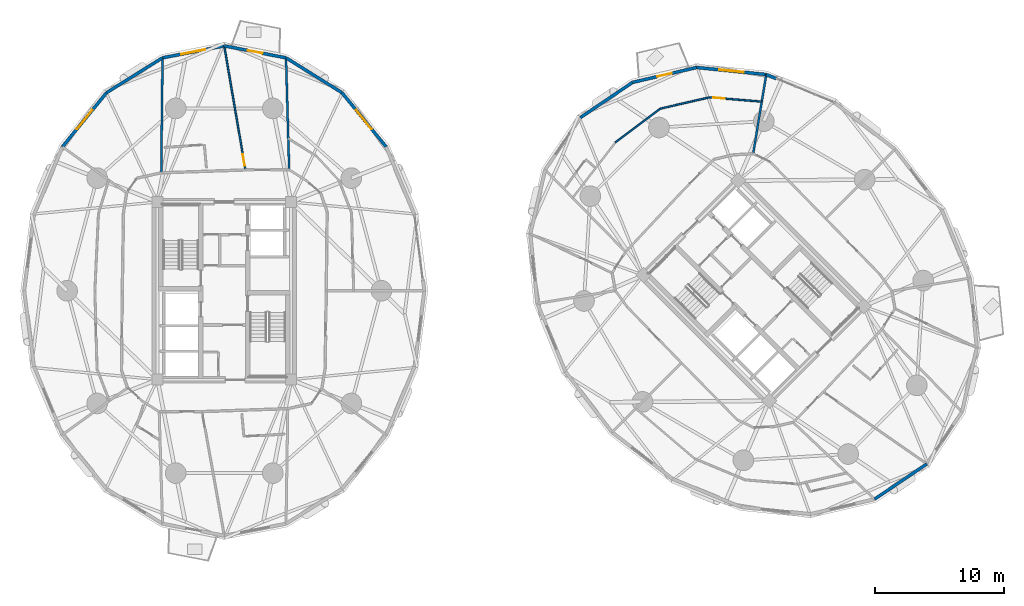
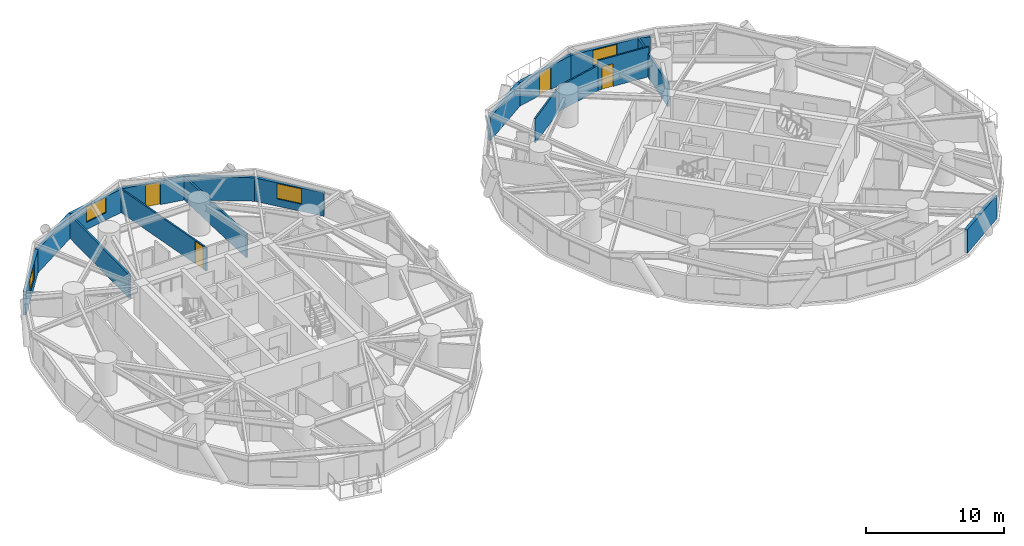
# One storey, part 14 of 19: 18 walls, 4 doors, 4 windows, 8 openings.
"""IFC4 building model written with IfcOpenShell, lengths in metres."""

from ifc_helpers import new_model, si_unit, direction, frame, frame_2d, origin, place, context, subcontext, project, spatial, rectangle, extrude, source, transform, mapped, material, layer, layer_set, type_object, element, fill, save


model = new_model("IFC4")

# Units and contexts
model_context = context("Model", 3, precision=1e-05, world=origin(), true_north=direction((0.0, 1.0)))
body_context = subcontext(model_context, "Body", "Model", "MODEL_VIEW")
ifc_project = project(units=[si_unit("LENGTHUNIT", "METRE"), si_unit("AREAUNIT", "SQUARE_METRE"), si_unit("VOLUMEUNIT", "CUBIC_METRE"), si_unit("PLANEANGLEUNIT", "RADIAN"), si_unit("MASSUNIT", "GRAM", prefix="KILO")], contexts=[model_context])

# Site, building, storey
site_placement = place(None, origin())
site = spatial("IfcSite", under=ifc_project, at=site_placement, CompositionType="ELEMENT")
building_placement = place(site_placement, origin())
building = spatial("IfcBuilding", under=site, at=building_placement, Name="Cununo Teusaquillo Station Towers", CompositionType="ELEMENT")
storey_placement = place(building_placement, frame((0.0, 0.0, 42.3701171875)))
storey = spatial("IfcBuildingStorey", under=building, at=storey_placement, Name="L12", CompositionType="ELEMENT", Elevation=42.3701171875)

# Wall, opening, window
ifc_material_1 = material(Name="Precast concrete C40/50", Category="concrete")
ifc_layer_1 = layer(ifc_material_1, 0.239990234375)
ifc_layer_set_1 = layer_set([ifc_layer_1], Name="Precast concrete C40/50")
wall_type_1 = type_object("IfcWallType", Name="WL-EXT-240", PredefinedType="SOLIDWALL", material=ifc_layer_set_1)
wall_1_placement = place(storey_placement, frame((25.610107421875, 39.84716796875, 0.0), z_axis=(0.0, 0.0, 1.0), x_axis=(0.632710215588, -0.774388651189, 0.0)))
wall_1 = element("IfcWall", 1, at=wall_1_placement, inside=storey, type_object=wall_type_1, Name="L12 Tower A Exterior Facade Wall C02", PredefinedType="SOLIDWALL", context=body_context, shape_type="SweptSolid", body=[
    extrude(rectangle(XDim=5.41943359375, YDim=0.239990234375, at=frame_2d((2.709716796875, 0.0))), origin(), (0.0, 0.0, 1.0), 2.072998046875),
])
shared_shape_1 = source(origin(), body_context, "Body", "SweptSolid", [
    extrude(rectangle(XDim=1.89990234375, YDim=1.35009765625, at=frame_2d((0.949951171875, 0.675048828125))), frame((0.0, 0.1298828125, 0.0), z_axis=(0.0, -1.0, 0.0), x_axis=(1.0, 0.0, 0.0)), (0.0, 0.0, 1.0), 0.260009765625),
])
opening_1_placement = place(wall_1_placement, frame((1.760009765625, 0.0, 0.64990234375)))
opening_1 = element("IfcOpeningElement", 2, at=opening_1_placement, cuts=wall_1, Name="Opening WN-02", PredefinedType="OPENING", context=body_context, shape_type="MappedRepresentation", body=[
    mapped(shared_shape_1, transform((0.0, 0.0, 0.0), x_axis=(1.0, 0.0, 0.0), y_axis=(0.0, 1.0, 0.0), z_axis=(0.0, 0.0, 1.0), scale=1.0)),
])
ifc_material_2 = material(Name="Operable acoustic tinted low-E double glazing", Category="glass")
window_type = type_object("IfcWindowType", Name="WIN-OPER-1900", PartitioningType="DOUBLE_PANEL_VERTICAL", PredefinedType="WINDOW", material=ifc_material_2)
shared_shape_2 = source(origin(), body_context, "Body", "SweptSolid", [
    extrude(rectangle(XDim=1.89990234375, YDim=1.35009765625, at=frame_2d((0.949951171875, 0.675048828125))), frame((0.0, 0.030029296875, 0.0), z_axis=(0.0, -1.0, 0.0), x_axis=(1.0, 0.0, 0.0)), (0.0, 0.0, 1.0), 0.06005859375),
])
window_1_placement = place(opening_1_placement, origin())
window_1 = element("IfcWindow", 3, at=window_1_placement, inside=storey, type_object=window_type, Name="L12 Tower A Facade Window C02", OverallHeight=1.35009765625, OverallWidth=1.89990234375, PartitioningType="DOUBLE_PANEL_VERTICAL", PredefinedType="WINDOW", context=body_context, shape_type="MappedRepresentation", body=[
    mapped(shared_shape_2, transform((0.0, 0.0, 0.0), x_axis=(1.0, 0.0, 0.0), y_axis=(0.0, 1.0, 0.0), z_axis=(0.0, 0.0, 1.0), scale=1.0)),
])
fill(opening_1, window_1)

# Wall
wall_2_placement = place(storey_placement, frame((21.28955078125, 42.54150390625, 0.0), z_axis=(0.0, 0.0, 1.0), x_axis=(0.848528534887, -0.529149624853, 0.0)))
element("IfcWall", 4, at=wall_2_placement, inside=storey, type_object=wall_type_1, Name="L12 Tower A Exterior Facade Wall C03", PredefinedType="SOLIDWALL", context=body_context, shape_type="SweptSolid", body=[
    extrude(rectangle(XDim=5.091796875, YDim=0.239990234375, at=frame_2d((2.5458984375, 0.0))), origin(), (0.0, 0.0, 1.0), 2.072998046875),
])

# Wall, opening, door
wall_3_placement = place(storey_placement, frame((16.5, 43.469970703125, 0.0), z_axis=(0.0, 0.0, 1.0), x_axis=(0.981724094622, -0.190309752872, 0.0)))
wall_3 = element("IfcWall", 5, at=wall_3_placement, inside=storey, type_object=wall_type_1, Name="L12 Tower A Exterior Facade Wall C04", PredefinedType="SOLIDWALL", context=body_context, shape_type="SweptSolid", body=[
    extrude(rectangle(XDim=4.878662109375, YDim=0.239990234375, at=frame_2d((2.439453125, 0.0))), origin(), (0.0, 0.0, 1.0), 2.072998046875),
])
shared_shape_3 = source(origin(), body_context, "Body", "SweptSolid", [
    extrude(rectangle(XDim=1.14990234375, YDim=2.0048828125, at=frame_2d((0.574951171875, 1.00244140625))), frame((0.0, 0.1298828125, 0.0), z_axis=(0.0, -1.0, 0.0), x_axis=(1.0, 0.0, 0.0)), (0.0, 0.0, 1.0), 0.260009765625),
])
opening_2_placement = place(wall_3_placement, frame((1.864013671875, 0.0, 0.0)))
opening_2 = element("IfcOpeningElement", 6, at=opening_2_placement, cuts=wall_3, Name="Opening ED-03", PredefinedType="OPENING", context=body_context, shape_type="MappedRepresentation", body=[
    mapped(shared_shape_3, transform((0.0, 0.0, 0.0), x_axis=(1.0, 0.0, 0.0), y_axis=(0.0, 1.0, 0.0), z_axis=(0.0, 0.0, 1.0), scale=1.0)),
])
ifc_material_3 = material(Name="Anodised dark bronze aluminium EN AW-6063-T6", Category="aluminium")
door_type_1 = type_object("IfcDoorType", Name="DR-EXT-BAL", OperationType="NOTDEFINED", PredefinedType="DOOR", material=ifc_material_3)
shared_shape_4 = source(origin(), body_context, "Body", "SweptSolid", [
    extrude(rectangle(XDim=1.14990234375, YDim=2.0048828125, at=frame_2d((0.574951171875, 1.00244140625))), frame((0.0, 0.02490234375, 0.0), z_axis=(0.0, -1.0, 0.0), x_axis=(1.0, 0.0, 0.0)), (0.0, 0.0, 1.0), 0.050048828125),
])
door_1_placement = place(opening_2_placement, origin())
door_1 = element("IfcDoor", 7, at=door_1_placement, inside=storey, type_object=door_type_1, Name="L12 Tower A Tree Balcony Door C04", OperationType="SINGLE_SWING_LEFT", OverallHeight=2.0048828125, OverallWidth=1.14990234375, PredefinedType="DOOR", context=body_context, shape_type="MappedRepresentation", body=[
    mapped(shared_shape_4, transform((0.0, 0.0, 0.0), x_axis=(1.0, 0.0, 0.0), y_axis=(0.0, 1.0, 0.0), z_axis=(0.0, 0.0, 1.0), scale=1.0)),
])
fill(opening_2, door_1)

# Wall, opening, window
wall_4_placement = place(storey_placement, frame((11.71044921875, 42.54150390625, 0.0), z_axis=(0.0, 0.0, 1.0), x_axis=(0.981724094622, 0.190309752872, 0.0)))
wall_4 = element("IfcWall", 8, at=wall_4_placement, inside=storey, type_object=wall_type_1, Name="L12 Tower A Exterior Facade Wall C05", PredefinedType="SOLIDWALL", context=body_context, shape_type="SweptSolid", body=[
    extrude(rectangle(XDim=4.878662109375, YDim=0.239990234375, at=frame_2d((2.439453125, 0.0))), origin(), (0.0, 0.0, 1.0), 2.072998046875),
])
opening_3_placement = place(wall_4_placement, frame((1.489013671875, 0.0, 0.64990234375)))
opening_3 = element("IfcOpeningElement", 9, at=opening_3_placement, cuts=wall_4, Name="Opening WN-02", PredefinedType="OPENING", context=body_context, shape_type="MappedRepresentation", body=[
    mapped(shared_shape_1, transform((0.0, 0.0, 0.0), x_axis=(1.0, 0.0, 0.0), y_axis=(0.0, 1.0, 0.0), z_axis=(0.0, 0.0, 1.0), scale=1.0)),
])
window_2_placement = place(opening_3_placement, origin())
window_2 = element("IfcWindow", 10, at=window_2_placement, inside=storey, type_object=window_type, Name="L12 Tower A Facade Window C05", OverallHeight=1.35009765625, OverallWidth=1.89990234375, PartitioningType="DOUBLE_PANEL_VERTICAL", PredefinedType="WINDOW", context=body_context, shape_type="MappedRepresentation", body=[
    mapped(shared_shape_2, transform((0.0, 0.0, 0.0), x_axis=(1.0, 0.0, 0.0), y_axis=(0.0, 1.0, 0.0), z_axis=(0.0, 0.0, 1.0), scale=1.0)),
])
fill(opening_3, window_2)

# Wall
wall_5_placement = place(storey_placement, frame((7.389892578125, 39.84716796875, 0.0), z_axis=(0.0, 0.0, 1.0), x_axis=(0.848528534887, 0.529149624853, 0.0)))
element("IfcWall", 11, at=wall_5_placement, inside=storey, type_object=wall_type_1, Name="L12 Tower A Exterior Facade Wall C06", PredefinedType="SOLIDWALL", context=body_context, shape_type="SweptSolid", body=[
    extrude(rectangle(XDim=5.091796875, YDim=0.239990234375, at=frame_2d((2.5458984375, 0.0))), origin(), (0.0, 0.0, 1.0), 2.072998046875),
])

# Wall, opening, window
wall_6_placement = place(storey_placement, frame((3.9609375, 35.650390625, 0.0), z_axis=(0.0, 0.0, 1.0), x_axis=(0.632710215588, 0.774388651189, 0.0)))
wall_6 = element("IfcWall", 12, at=wall_6_placement, inside=storey, type_object=wall_type_1, Name="L12 Tower A Exterior Facade Wall C07", PredefinedType="SOLIDWALL", context=body_context, shape_type="SweptSolid", body=[
    extrude(rectangle(XDim=5.41943359375, YDim=0.239990234375, at=frame_2d((2.709716796875, 0.0))), origin(), (0.0, 0.0, 1.0), 2.072998046875),
])
opening_4_placement = place(wall_6_placement, frame((1.760009765625, 0.0, 0.64990234375)))
opening_4 = element("IfcOpeningElement", 13, at=opening_4_placement, cuts=wall_6, Name="Opening WN-02", PredefinedType="OPENING", context=body_context, shape_type="MappedRepresentation", body=[
    mapped(shared_shape_1, transform((0.0, 0.0, 0.0), x_axis=(1.0, 0.0, 0.0), y_axis=(0.0, 1.0, 0.0), z_axis=(0.0, 0.0, 1.0), scale=1.0)),
])
window_3_placement = place(opening_4_placement, origin())
window_3 = element("IfcWindow", 14, at=window_3_placement, inside=storey, type_object=window_type, Name="L12 Tower A Facade Window C07", OverallHeight=1.35009765625, OverallWidth=1.89990234375, PartitioningType="DOUBLE_PANEL_VERTICAL", PredefinedType="WINDOW", context=body_context, shape_type="MappedRepresentation", body=[
    mapped(shared_shape_2, transform((0.0, 0.0, 0.0), x_axis=(1.0, 0.0, 0.0), y_axis=(0.0, 1.0, 0.0), z_axis=(0.0, 0.0, 1.0), scale=1.0)),
])
fill(opening_4, window_3)

# Wall
wall_7_placement = place(storey_placement, frame((58.48193359375, 41.2509765625, 0.0), z_axis=(0.0, 0.0, 1.0), x_axis=(0.924556017656, -0.381046152345, 0.0)))
element("IfcWall", 15, at=wall_7_placement, inside=storey, type_object=wall_type_1, Name="L12 Tower B Column Pier Cladding Wall C01-PA", PredefinedType="SOLIDWALL", context=body_context, shape_type="SweptSolid", body=[
    extrude(rectangle(XDim=0.8701171875, YDim=0.239990234375, at=frame_2d((0.43505859375, 0.0))), origin(), (0.0, 0.0, 1.0), 2.072998046875),
])

# Wall, opening, window
wall_8_placement = place(storey_placement, frame((53.08984375, 41.7939453125, 0.0), z_axis=(0.0, 0.0, 1.0), x_axis=(0.994968263437, -0.100190592135, 0.0)))
wall_8 = element("IfcWall", 16, at=wall_8_placement, inside=storey, type_object=wall_type_1, Name="L12 Tower B Exterior Facade Wall C02", PredefinedType="SOLIDWALL", context=body_context, shape_type="SweptSolid", body=[
    extrude(rectangle(XDim=5.41943359375, YDim=0.239990234375, at=frame_2d((2.709716796875, 0.0))), origin(), (0.0, 0.0, 1.0), 2.072998046875),
])
opening_5_placement = place(wall_8_placement, frame((1.760009765625, 0.0, 0.64990234375)))
opening_5 = element("IfcOpeningElement", 17, at=opening_5_placement, cuts=wall_8, Name="Opening WN-02", PredefinedType="OPENING", context=body_context, shape_type="MappedRepresentation", body=[
    mapped(shared_shape_1, transform((0.0, 0.0, 0.0), x_axis=(1.0, 0.0, 0.0), y_axis=(0.0, 1.0, 0.0), z_axis=(0.0, 0.0, 1.0), scale=1.0)),
])
window_4_placement = place(opening_5_placement, origin())
window_4 = element("IfcWindow", 18, at=window_4_placement, inside=storey, type_object=window_type, Name="L12 Tower B Facade Window C02", OverallHeight=1.35009765625, OverallWidth=1.89990234375, PartitioningType="DOUBLE_PANEL_VERTICAL", PredefinedType="WINDOW", context=body_context, shape_type="MappedRepresentation", body=[
    mapped(shared_shape_2, transform((0.0, 0.0, 0.0), x_axis=(1.0, 0.0, 0.0), y_axis=(0.0, 1.0, 0.0), z_axis=(0.0, 0.0, 1.0), scale=1.0)),
])
fill(opening_5, window_4)

# Wall, opening, door
wall_9_placement = place(storey_placement, frame((48.12939453125, 40.64404296875, 0.0), z_axis=(0.0, 0.0, 1.0), x_axis=(0.974167686491, 0.22582585901, 0.0)))
wall_9 = element("IfcWall", 19, at=wall_9_placement, inside=storey, type_object=wall_type_1, Name="L12 Tower B Exterior Facade Wall C03", PredefinedType="SOLIDWALL", context=body_context, shape_type="SweptSolid", body=[
    extrude(rectangle(XDim=5.092041015625, YDim=0.239990234375, at=frame_2d((2.5458984375, 0.0))), origin(), (0.0, 0.0, 1.0), 2.072998046875),
])
opening_6_placement = place(wall_9_placement, frame((1.970947265625, 0.0, 0.0)))
opening_6 = element("IfcOpeningElement", 20, at=opening_6_placement, cuts=wall_9, Name="Opening ED-03", PredefinedType="OPENING", context=body_context, shape_type="MappedRepresentation", body=[
    mapped(shared_shape_3, transform((0.0, 0.0, 0.0), x_axis=(1.0, 0.0, 0.0), y_axis=(0.0, 1.0, 0.0), z_axis=(0.0, 0.0, 1.0), scale=1.0)),
])
door_2_placement = place(opening_6_placement, origin())
door_2 = element("IfcDoor", 21, at=door_2_placement, inside=storey, type_object=door_type_1, Name="L12 Tower B Tree Balcony Door C03", OperationType="SINGLE_SWING_LEFT", OverallHeight=2.0048828125, OverallWidth=1.14990234375, PredefinedType="DOOR", context=body_context, shape_type="MappedRepresentation", body=[
    mapped(shared_shape_4, transform((0.0, 0.0, 0.0), x_axis=(1.0, 0.0, 0.0), y_axis=(0.0, 1.0, 0.0), z_axis=(0.0, 0.0, 1.0), scale=1.0)),
])
fill(opening_6, door_2)

# Walls
for number, where, z_axis, x_axis, name in (
    (22, (44.086181640625, 37.913818359375, 0.0), (0.0, 0.0, 1.0), (0.828748297084, 0.559621532896, 0.0), "L12 Tower B Exterior Facade Wall C04"),
    (23, (70.913818359375, 11.086181640625, 0.0), (0.0, 0.0, 1.0), (-0.828748297084, -0.559621532896, 0.0), "L12 Tower B Exterior Facade Wall C14"),
):
    element("IfcWall", number, at=place(storey_placement, frame(where, z_axis=z_axis, x_axis=x_axis)), inside=storey, type_object=wall_type_1, Name=name, PredefinedType="SOLIDWALL", context=body_context, shape_type="SweptSolid", body=[
        extrude(rectangle(XDim=4.878662109375, YDim=0.239990234375, at=frame_2d((2.439453125, 0.0))), origin(), (0.0, 0.0, 1.0), 2.072998046875),
    ])

# Wall, opening, door
ifc_material_4 = material(Name="Fire-rated gypsum plasterboard partition assembly", Category="gypsum")
ifc_layer_2 = layer(ifc_material_4, 0.125)
ifc_layer_set_2 = layer_set([ifc_layer_2], Name="Fire-rated gypsum plasterboard partition assembly")
wall_type_2 = type_object("IfcWallType", Name="WL-PART-125", PredefinedType="PARTITIONING", material=ifc_layer_set_2)
wall_10_placement = place(storey_placement, frame((18.142822265625, 33.859619140625, 0.0), z_axis=(0.0, 0.0, 1.0), x_axis=(-0.168840545196, 0.985643378864, 0.0)))
wall_10 = element("IfcWall", 24, at=wall_10_placement, inside=storey, type_object=wall_type_2, Name="L12 Tower A Royal Corner Hotel Suite Suite Subdividing Wall", PredefinedType="PARTITIONING", context=body_context, shape_type="SweptSolid", body=[
    extrude(rectangle(XDim=9.72998046875, YDim=0.125, at=frame_2d((4.864990234375, 0.0))), origin(), (0.0, 0.0, 1.0), 2.072998046875),
])
shared_shape_5 = source(origin(), body_context, "Body", "SweptSolid", [
    extrude(rectangle(XDim=0.89990234375, YDim=2.0048828125, at=frame_2d((0.449951171875, 1.00244140625))), frame((0.0, 0.072509765625, 0.0), z_axis=(0.0, -1.0, 0.0), x_axis=(1.0, 0.0, 0.0)), (0.0, 0.0, 1.0), 0.14501953125),
])
opening_7_placement = place(wall_10_placement, frame((0.330078125, 0.0, 0.0)))
opening_7 = element("IfcOpeningElement", 25, at=opening_7_placement, cuts=wall_10, Name="Opening D-IN1", PredefinedType="OPENING", context=body_context, shape_type="MappedRepresentation", body=[
    mapped(shared_shape_5, transform((0.0, 0.0, 0.0), x_axis=(1.0, 0.0, 0.0), y_axis=(0.0, 1.0, 0.0), z_axis=(0.0, 0.0, 1.0), scale=1.0)),
])
ifc_material_5 = material(Name="Acoustic solid-core hardwood leaf assembly", Category="wood")
door_type_2 = type_object("IfcDoorType", Name="DR-INT-900", OperationType="NOTDEFINED", PredefinedType="DOOR", material=ifc_material_5)
shared_shape_6 = source(origin(), body_context, "Body", "SweptSolid", [
    extrude(rectangle(XDim=0.89990234375, YDim=2.0048828125, at=frame_2d((0.449951171875, 1.00244140625))), frame((0.0, 0.02490234375, 0.0), z_axis=(0.0, -1.0, 0.0), x_axis=(1.0, 0.0, 0.0)), (0.0, 0.0, 1.0), 0.050048828125),
])
door_3_placement = place(opening_7_placement, origin())
door_3 = element("IfcDoor", 26, at=door_3_placement, inside=storey, type_object=door_type_2, Name="L12 Tower A Royal Corner Hotel Suite Suite Connecting Door", OperationType="SINGLE_SWING_RIGHT", OverallHeight=2.0048828125, OverallWidth=0.89990234375, PredefinedType="DOOR", context=body_context, shape_type="MappedRepresentation", body=[
    mapped(shared_shape_6, transform((0.0, 0.0, 0.0), x_axis=(1.0, 0.0, 0.0), y_axis=(0.0, 1.0, 0.0), z_axis=(0.0, 0.0, 1.0), scale=1.0)),
])
fill(opening_7, door_3)

wall_11_placement = place(storey_placement, frame((58.134765625, 39.150390625, 0.0), z_axis=(0.0, 0.0, 1.0), x_axis=(-0.996661360768, 0.081646383578, 0.0)))
wall_11 = element("IfcWall", 27, at=wall_11_placement, inside=storey, type_object=wall_type_2, Name="L12 Tower B Royal Corner Hotel Suite Concentric Partition Wall C02", PredefinedType="PARTITIONING", context=body_context, shape_type="SweptSolid", body=[
    extrude(rectangle(XDim=4.07275390625, YDim=0.125, at=frame_2d((2.036376953125, 0.0))), origin(), (0.0, 0.0, 1.0), 2.634765625),
])
opening_8_placement = place(wall_11_placement, frame((2.869140625, 0.0, 0.0)))
opening_8 = element("IfcOpeningElement", 28, at=opening_8_placement, cuts=wall_11, Name="Opening D-IN1", PredefinedType="OPENING", context=body_context, shape_type="MappedRepresentation", body=[
    mapped(shared_shape_5, transform((0.0, 0.0, 0.0), x_axis=(1.0, 0.0, 0.0), y_axis=(0.0, 1.0, 0.0), z_axis=(0.0, 0.0, 1.0), scale=1.0)),
])
door_4_placement = place(opening_8_placement, origin())
door_4 = element("IfcDoor", 29, at=door_4_placement, inside=storey, type_object=door_type_2, Name="L12 Tower B Royal Corner Hotel Suite Connecting Door", OperationType="SINGLE_SWING_LEFT", OverallHeight=2.0048828125, OverallWidth=0.89990234375, PredefinedType="DOOR", context=body_context, shape_type="MappedRepresentation", body=[
    mapped(shared_shape_6, transform((0.0, 0.0, 0.0), x_axis=(1.0, 0.0, 0.0), y_axis=(0.0, 1.0, 0.0), z_axis=(0.0, 0.0, 1.0), scale=1.0)),
])
fill(opening_8, door_4)

# Walls
wall_12_placement = place(storey_placement, frame((54.07568359375, 39.48291015625, 0.0), z_axis=(0.0, 0.0, 1.0), x_axis=(-0.974339463782, -0.225083560744, 0.0)))
element("IfcWall", 30, at=wall_12_placement, inside=storey, type_object=wall_type_2, Name="L12 Tower B Royal Corner Hotel Suite Concentric Partition Wall C03", PredefinedType="PARTITIONING", context=body_context, shape_type="SweptSolid", body=[
    extrude(rectangle(XDim=3.8994140625, YDim=0.125, at=frame_2d((1.94970703125, 0.0))), origin(), (0.0, 0.0, 1.0), 2.204833984375),
])
wall_13_placement = place(storey_placement, frame((50.2763671875, 38.605224609375, 0.0), z_axis=(0.0, 0.0, 1.0), x_axis=(-0.798927876279, -0.60142684385, 0.0)))
element("IfcWall", 31, at=wall_13_placement, inside=storey, type_object=wall_type_2, Name="L12 Tower B Royal Corner Hotel Suite Concentric Partition Wall C04", PredefinedType="PARTITIONING", context=body_context, shape_type="SweptSolid", body=[
    extrude(rectangle(XDim=4.35009765625, YDim=0.125, at=frame_2d((2.175048828125, 0.0))), origin(), (0.0, 0.0, 1.0), 2.158935546875),
])
ifc_material_6 = material(Name="Fire-rated gypsum plasterboard partition assembly", Category="gypsum")
ifc_layer_3 = layer(ifc_material_6, 0.159912109375)
ifc_layer_set_3 = layer_set([ifc_layer_3], Name="Fire-rated gypsum plasterboard partition assembly")
wall_type_3 = type_object("IfcWallType", Name="WL-PART-160", PredefinedType="PARTITIONING", material=ifc_layer_set_3)
wall_14_placement = place(storey_placement, frame((21.52685546875, 33.873291015625, 0.0), z_axis=(0.0, 0.0, 1.0), x_axis=(-0.028159433134, 0.999603444535, 0.0)))
element("IfcWall", 32, at=wall_14_placement, inside=storey, type_object=wall_type_3, Name="L12 Tower A Radial Suite Partition R02", PredefinedType="PARTITIONING", context=body_context, shape_type="SweptSolid", body=[
    extrude(rectangle(XDim=8.652587890625, YDim=0.159912109375, at=frame_2d((4.326171875, 0.0))), origin(), (0.0, 0.0, 1.0), 2.072998046875),
])
wall_15_placement = place(storey_placement, frame((11.619873046875, 33.63720703125, 0.0), z_axis=(0.0, 0.0, 1.0), x_axis=(0.01090774254, 0.999940508807, 0.0)))
element("IfcWall", 33, at=wall_15_placement, inside=storey, type_object=wall_type_3, Name="L12 Tower A Radial Suite Partition R03", PredefinedType="PARTITIONING", context=body_context, shape_type="SweptSolid", body=[
    extrude(rectangle(XDim=8.8857421875, YDim=0.159912109375, at=frame_2d((4.44287109375, 0.0))), origin(), (0.0, 0.0, 1.0), 2.072998046875),
])
wall_16_placement = place(storey_placement, frame((57.466796875, 35.111328125, 0.0), z_axis=(0.0, 0.0, 1.0), x_axis=(0.163141505202, 0.986602680556, 0.0)))
element("IfcWall", 34, at=wall_16_placement, inside=storey, type_object=wall_type_3, Name="L12 Tower B Radial Suite Partition R02", PredefinedType="PARTITIONING", context=body_context, shape_type="SweptSolid", body=[
    extrude(rectangle(XDim=6.202880859375, YDim=0.159912109375, at=frame_2d((3.1015625, 0.0))), origin(), (0.0, 0.0, 1.0), 2.072998046875),
])

save(model, "model.ifc")
